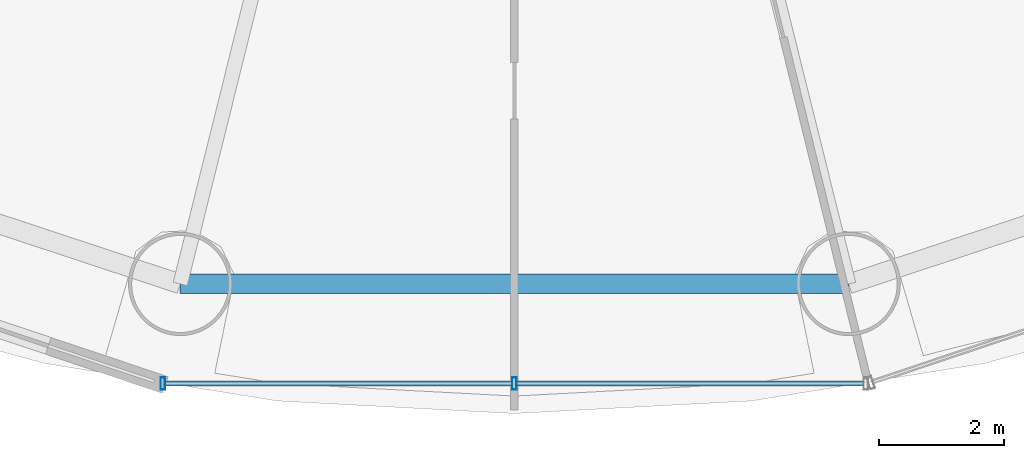
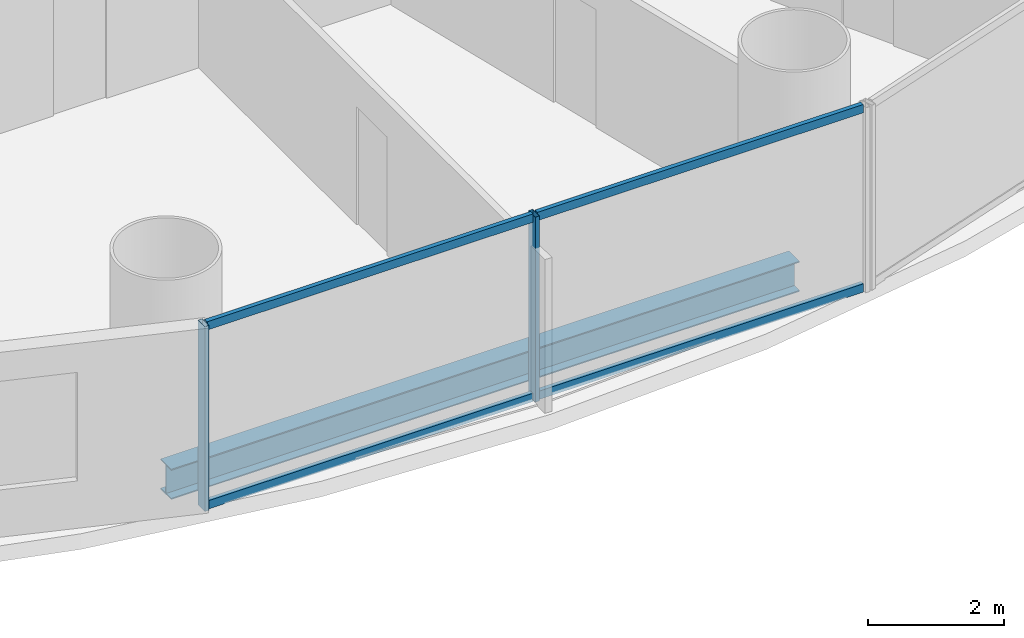
# One storey, part 4 of 29: 6 members, 1 beam, 1 element without a shape of its own.
"""IFC4 building model written with IfcOpenShell, lengths in metres."""

from ifc_helpers import new_model, si_unit, direction, frame, origin, origin_2d, place, context, subcontext, project, spatial, hollow_rectangle, i_section, extrude, source, transform, mapped, material, material_profile, profile_set, type_object, element, aggregate, save


model = new_model("IFC4")

# Units and contexts
model_context = context("Model", 3, precision=1e-05, world=origin(), true_north=direction((-0.2419218956, 0.970295726276)))
body_context = subcontext(model_context, "Body", "Model", "MODEL_VIEW")
ifc_project = project(units=[si_unit("LENGTHUNIT", "METRE"), si_unit("AREAUNIT", "SQUARE_METRE"), si_unit("VOLUMEUNIT", "CUBIC_METRE"), si_unit("PLANEANGLEUNIT", "RADIAN"), si_unit("MASSUNIT", "GRAM", prefix="KILO")], contexts=[model_context])

# Site, building, storey
site_placement = place(None, origin())
site = spatial("IfcSite", under=ifc_project, at=site_placement, CompositionType="ELEMENT")
building_placement = place(site_placement, origin())
building = spatial("IfcBuilding", under=site, at=building_placement, Name="Cobrevalo Terracotta Tower", CompositionType="ELEMENT")
storey_placement = place(building_placement, frame((0.0, 0.0, 49.199951171875)))
storey = spatial("IfcBuildingStorey", under=building, at=storey_placement, Name="L12", CompositionType="ELEMENT", Elevation=49.199951171875)

# Beam
ifc_material_1 = material(Name="Steel S355", Category="steel")
ifc_material_profile_1 = material_profile(ifc_material_1, i_section(OverallWidth=0.31201171875, OverallDepth=0.54296875, WebThickness=0.0126953125, FlangeThickness=0.020263671875, at=origin_2d()), Name="W 530x150")
ifc_profile_set_1 = profile_set([ifc_material_profile_1], Name="Steel S355")
beam_type = type_object("IfcBeamType", Name="Structural Spandrel W 530x150 (Steel S355)", PredefinedType="SPANDREL", material=ifc_profile_set_1)
beam_placement = place(storey_placement, frame((32.664306640625, 5.369873046875, -0.551513671875), z_axis=(1.0, 0.0, 0.0), x_axis=(0.0, 1.0, 0.0)))
element("IfcBeam", 1, at=beam_placement, inside=storey, type_object=beam_type, Name="L12 perimeter ring spandrel 12", PredefinedType="SPANDREL", context=body_context, shape_type="SweptSolid", body=[
    extrude(i_section(OverallWidth=0.31201171875, OverallDepth=0.54296875, WebThickness=0.0126953125, FlangeThickness=0.020263671875, at=origin_2d()), origin(), (0.0, 0.0, 1.0), 10.67138671875),
])

# Curtain wall, members
ifc_material_2 = material(Name="Anodized aluminium", Category="aluminium")
curtain_wall_type = type_object("IfcCurtainWallType", Name="Lower-tower unitised acoustic low-E curtain wall CW-U1", PredefinedType="NOTDEFINED", material=ifc_material_2)
curtain_wall_placement = place(storey_placement, origin())
curtain_wall = element("IfcCurtainWall", 2, at=curtain_wall_placement, inside=storey, type_object=curtain_wall_type, Name="L12 curtain wall CW-L12-S12", PredefinedType="NOTDEFINED")
ifc_material_profile_2 = material_profile(ifc_material_2, hollow_rectangle(XDim=0.074951171875, YDim=0.199951171875, WallThickness=0.0048828125, at=origin_2d()), Name="CWM 75x200")
ifc_profile_set_2 = profile_set([ifc_material_profile_2], Name="Anodized aluminium")
member_type_1 = type_object("IfcMemberType", Name="Lower/mid tower unitised mullion 75x200", PredefinedType="MULLION", material=ifc_profile_set_2)
shared_shape_1 = source(origin(), body_context, "Body", "SweptSolid", [
    extrude(hollow_rectangle(XDim=0.074951171875, YDim=0.199951171875, WallThickness=0.0048828125, at=origin_2d()), origin(), (0.0, 0.0, 1.0), 3.320068359375),
])
member_1_placement = place(storey_placement, frame((32.38818359375, 3.781005859375, 0.0), z_axis=(0.0, 0.0, 1.0), x_axis=(1.0, 0.0, 0.0)))
member_1 = element("IfcMember", 3, at=member_1_placement, type_object=member_type_1, Name="CW-L12-S12 vertical mullion 01", PredefinedType="MULLION", context=body_context, shape_type="MappedRepresentation", body=[
    mapped(shared_shape_1, transform((0.0, 0.0, 0.0), scale=1.0)),
])
member_2_placement = place(storey_placement, frame((38.0, 3.781005859375, 0.0), z_axis=(0.0, 0.0, 1.0), x_axis=(1.0, 0.0, 0.0)))
member_2 = element("IfcMember", 4, at=member_2_placement, type_object=member_type_1, Name="CW-L12-S12 vertical mullion 02", PredefinedType="MULLION", context=body_context, shape_type="MappedRepresentation", body=[
    mapped(shared_shape_1, transform((0.0, 0.0, 0.0), scale=1.0)),
])
ifc_material_profile_3 = material_profile(ifc_material_2, hollow_rectangle(XDim=0.074951171875, YDim=0.14990234375, WallThickness=0.00439453125, at=origin_2d()), Name="CWT 75x150")
ifc_profile_set_3 = profile_set([ifc_material_profile_3], Name="Anodized aluminium")
member_type_2 = type_object("IfcMemberType", Name="Tower unitised aluminium transom 75x150", PredefinedType="USERDEFINED", material=ifc_profile_set_3)
shared_shape_2 = source(origin(), body_context, "Body", "SweptSolid", [
    extrude(hollow_rectangle(XDim=0.074951171875, YDim=0.14990234375, WallThickness=0.00439453125, at=origin_2d()), origin(), (0.0, 0.0, 1.0), 5.53173828125),
])
member_3_placement = place(storey_placement, frame((32.42822265625, 3.781005859375, 0.050048828125), z_axis=(1.0, 0.0, 0.0), x_axis=(0.0, 1.0, 0.0)))
member_3 = element("IfcMember", 5, at=member_3_placement, type_object=member_type_2, Name="CW-L12-S12 transom B01-T1", ObjectType="TRANSOM", PredefinedType="USERDEFINED", context=body_context, shape_type="MappedRepresentation", body=[
    mapped(shared_shape_2, transform((0.0, 0.0, 0.0), scale=1.0)),
])
member_4_placement = place(storey_placement, frame((32.42822265625, 3.781005859375, 3.27001953125), z_axis=(1.0, 0.0, 0.0), x_axis=(0.0, 1.0, 0.0)))
member_4 = element("IfcMember", 6, at=member_4_placement, type_object=member_type_2, Name="CW-L12-S12 transom B01-T2", ObjectType="TRANSOM", PredefinedType="USERDEFINED", context=body_context, shape_type="MappedRepresentation", body=[
    mapped(shared_shape_2, transform((0.0, 0.0, 0.0), scale=1.0)),
])
member_5_placement = place(storey_placement, frame((38.0400390625, 3.781005859375, 0.050048828125), z_axis=(1.0, 0.0, 0.0), x_axis=(0.0, 1.0, 0.0)))
member_5 = element("IfcMember", 7, at=member_5_placement, type_object=member_type_2, Name="CW-L12-S12 transom B02-T1", ObjectType="TRANSOM", PredefinedType="USERDEFINED", context=body_context, shape_type="MappedRepresentation", body=[
    mapped(shared_shape_2, transform((0.0, 0.0, 0.0), scale=1.0)),
])
member_6_placement = place(storey_placement, frame((38.0400390625, 3.781005859375, 3.27001953125), z_axis=(1.0, 0.0, 0.0), x_axis=(0.0, 1.0, 0.0)))
member_6 = element("IfcMember", 8, at=member_6_placement, type_object=member_type_2, Name="CW-L12-S12 transom B02-T2", ObjectType="TRANSOM", PredefinedType="USERDEFINED", context=body_context, shape_type="MappedRepresentation", body=[
    mapped(shared_shape_2, transform((0.0, 0.0, 0.0), scale=1.0)),
])
aggregate(curtain_wall, [member_1, member_2, member_3, member_4, member_5, member_6])

save(model, "model.ifc")
